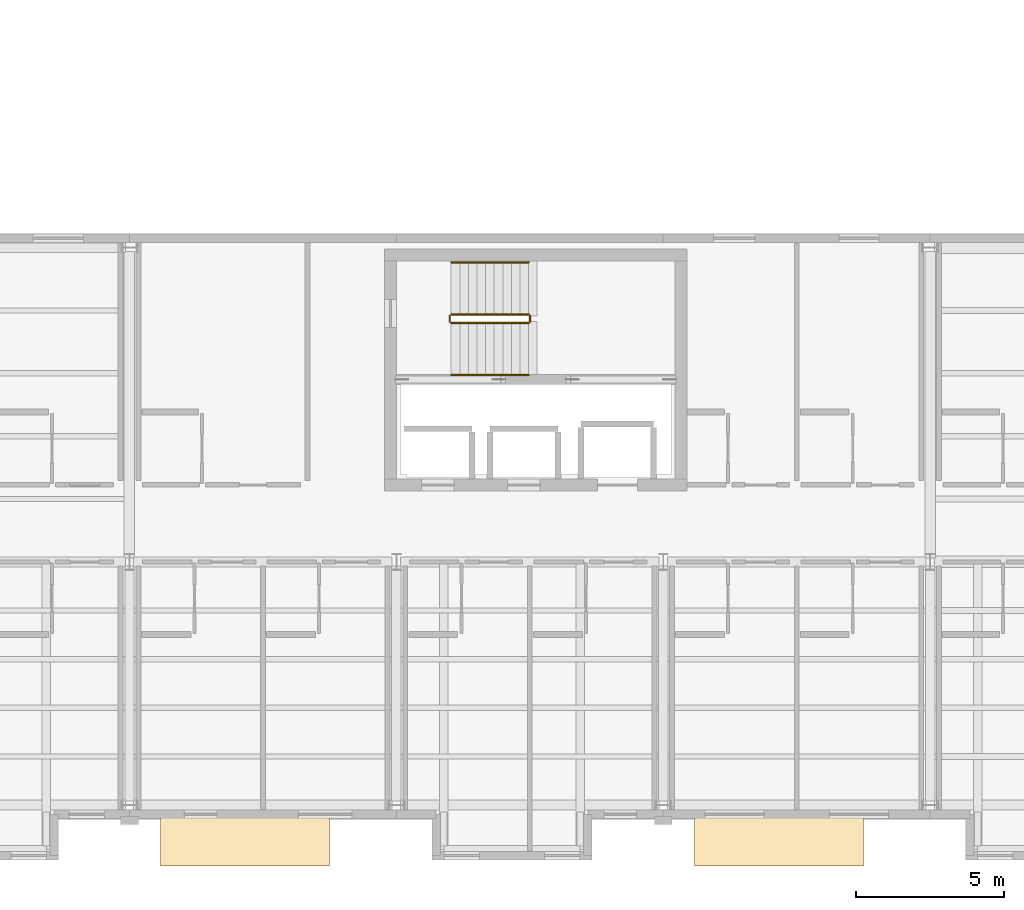
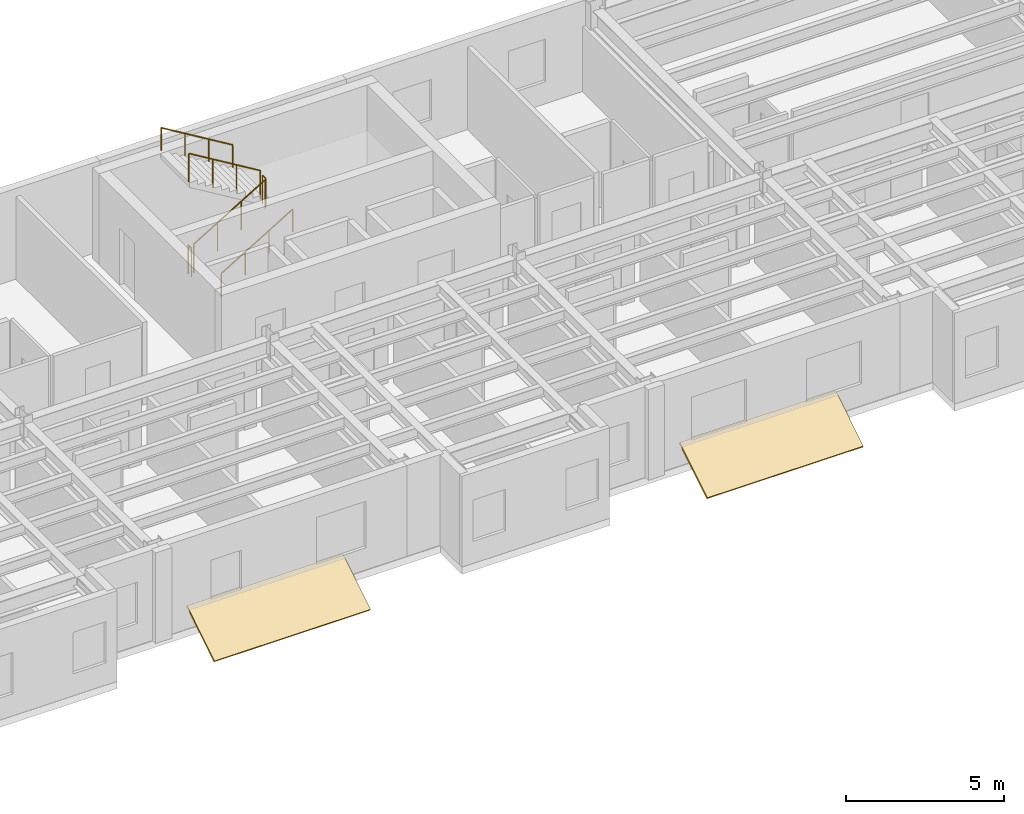
# One storey, part 16 of 19: 6 railings, 2 coverings.
"""IFC4 building model written with IfcOpenShell, lengths in metres."""

from ifc_helpers import new_model, si_unit, direction, frame, origin, origin_2d, place, context, subcontext, project, spatial, polyline, circle, outline, extrude, material, layer, layer_set, type_object, element, save


model = new_model("IFC4")

# Units and contexts
model_context = context("Model", 3, precision=1e-05, world=origin(), true_north=direction((0.0, 1.0)))
body_context = subcontext(model_context, "Body", "Model", "MODEL_VIEW")
ifc_project = project(units=[si_unit("LENGTHUNIT", "METRE"), si_unit("AREAUNIT", "SQUARE_METRE"), si_unit("VOLUMEUNIT", "CUBIC_METRE"), si_unit("PLANEANGLEUNIT", "RADIAN"), si_unit("MASSUNIT", "GRAM", prefix="KILO")], contexts=[model_context])

# Site, building, storey
site_placement = place(None, origin())
site = spatial("IfcSite", under=ifc_project, at=site_placement, CompositionType="ELEMENT")
building_placement = place(site_placement, origin())
building = spatial("IfcBuilding", under=site, at=building_placement, Name="Sollismere Congress Hotel", CompositionType="ELEMENT")
storey_placement = place(building_placement, frame((0.0, 0.0, 34.10009765625)))
storey = spatial("IfcBuildingStorey", under=building, at=storey_placement, Name="L08", CompositionType="ELEMENT", Elevation=34.10009765625)

# Coverings
ifc_material_1 = material(Name="Standing-Seam Titanium-Zinc Roof Assembly")
ifc_layer = layer(ifc_material_1, 0.054931640625, Name="Standing-Seam Titanium-Zinc Roof Assembly")
ifc_layer_set = layer_set([ifc_layer], Name="Standing-Seam Titanium-Zinc Roof Assembly")
covering_type = type_object("IfcCoveringType", Name="CV-RFZNC", PredefinedType="ROOFING", material=ifc_layer_set)
for number, where, z_axis, x_axis, name in (
    (1, (86.050048828125, -2.008056640625, -0.36328125), (0.0, -0.525209771298, 0.850972794003), (1.0, 0.0, 0.0), "Cikma bay sacak hood SL-CKH-22"),
    (2, (104.050048828125, -2.008056640625, -0.36328125), (0.0, -0.525209771298, 0.850972794003), (1.0, 0.0, 0.0), "Cikma bay sacak hood SL-CKH-23"),
):
    element("IfcCovering", number, at=place(storey_placement, frame(where, z_axis=z_axis, x_axis=x_axis)), inside=storey, type_object=covering_type, Name=name, PredefinedType="ROOFING", context=body_context, shape_type="SweptSolid", body=[
        extrude(outline(polyline([(0.0, 0.0), (5.699951171875, 0.0), (5.699951171875, 2.056396484375), (0.0, 2.056396484375), (0.0, 0.0)])), origin(), (0.0, 0.0, 1.0), 0.080078125),
    ])

# Railings
ifc_material_2 = material(Name="Steel ASTM A500 Grade C", Category="steel")
railing_type_1 = type_object("IfcRailingType", Name="RL-GRD112", PredefinedType="GUARDRAIL", material=ifc_material_2)
railing_1_placement = place(storey_placement, frame((95.85009765625, 16.25, 0.1748046875)))
element("IfcRailing", 3, at=railing_1_placement, inside=storey, type_object=railing_type_1, Name="RLG-RG-ST-02-L08-1", PredefinedType="GUARDRAIL", context=body_context, shape_type="SweptSolid", body=[
    extrude(circle(Radius=0.02392578125, at=origin_2d()), frame((0.0, 0.0, 1.09619140625), z_axis=(0.856147343639, 0.0, 0.516731773728), x_axis=(0.0, 1.0, 0.0)), (0.0, 0.0, 1.0), 3.04833984375),
    extrude(circle(Radius=0.02099609375, at=origin_2d()), origin(), (0.0, 0.0, 1.0), 1.072021484375),
    extrude(circle(Radius=0.02099609375, at=origin_2d()), frame((0.869873046875, 0.0, 0.525146484375)), (0.0, 0.0, 1.0), 1.072021484375),
    extrude(circle(Radius=0.02099609375, at=origin_2d()), frame((1.739990234375, 0.0, 1.050048828125)), (0.0, 0.0, 1.0), 1.072021484375),
    extrude(circle(Radius=0.02099609375, at=origin_2d()), frame((2.60986328125, 0.0, 1.5751953125)), (0.0, 0.0, 1.0), 1.072021484375),
])
railing_2_placement = place(storey_placement, frame((98.510009765625, 16.300048828125, 1.75)))
element("IfcRailing", 4, at=railing_2_placement, inside=storey, type_object=railing_type_1, Name="RLG-RG-ST-02-L08-2", PredefinedType="GUARDRAIL", context=body_context, shape_type="SweptSolid", body=[
    extrude(circle(Radius=0.02392578125, at=origin_2d()), frame((0.0, 0.0, 1.09619140625), z_axis=(0.0, 1.0, 0.0), x_axis=(-1.0, 0.0, 0.0)), (0.0, 0.0, 1.0), 0.199951171875),
    extrude(circle(Radius=0.02099609375, at=origin_2d()), origin(), (0.0, 0.0, 1.0), 1.072021484375),
    extrude(circle(Radius=0.02099609375, at=origin_2d()), frame((0.0, 0.199951171875, 0.0)), (0.0, 0.0, 1.0), 1.072021484375),
])
railing_3_placement = place(storey_placement, frame((98.4599609375, 16.550048828125, 1.9248046875)))
element("IfcRailing", 5, at=railing_3_placement, inside=storey, type_object=railing_type_1, Name="RLG-RG-ST-02-L08-3", PredefinedType="GUARDRAIL", context=body_context, shape_type="SweptSolid", body=[
    extrude(circle(Radius=0.02392578125, at=origin_2d()), frame((0.0, 0.0, 1.09619140625), z_axis=(-0.856147343639, 0.0, 0.516731773728), x_axis=(0.0, -1.0, 0.0)), (0.0, 0.0, 1.0), 3.04833984375),
    extrude(circle(Radius=0.02099609375, at=origin_2d()), origin(), (0.0, 0.0, 1.0), 1.072021484375),
    extrude(circle(Radius=0.02099609375, at=origin_2d()), frame((-0.869873046875, 0.0, 0.525146484375)), (0.0, 0.0, 1.0), 1.072021484375),
    extrude(circle(Radius=0.02099609375, at=origin_2d()), frame((-1.739990234375, 0.0, 1.050048828125)), (0.0, 0.0, 1.0), 1.072021484375),
    extrude(circle(Radius=0.02099609375, at=origin_2d()), frame((-2.60986328125, 0.0, 1.5751953125)), (0.0, 0.0, 1.0), 1.072021484375),
])
railing_4_placement = place(storey_placement, frame((95.800048828125, 16.300048828125, 0.0)))
element("IfcRailing", 6, at=railing_4_placement, inside=storey, type_object=railing_type_1, Name="RLG-RG-ST-02-L08-4", PredefinedType="GUARDRAIL", context=body_context, shape_type="SweptSolid", body=[
    extrude(circle(Radius=0.02392578125, at=origin_2d()), frame((0.0, 0.0, 1.09619140625), z_axis=(0.0, 1.0, 0.0), x_axis=(-1.0, 0.0, 0.0)), (0.0, 0.0, 1.0), 0.199951171875),
    extrude(circle(Radius=0.02099609375, at=origin_2d()), origin(), (0.0, 0.0, 1.0), 1.072021484375),
    extrude(circle(Radius=0.02099609375, at=origin_2d()), frame((0.0, 0.199951171875, 0.0)), (0.0, 0.0, 1.0), 1.072021484375),
])
ifc_material_3 = material(Name="Brushed Architectural Bronze")
railing_type_2 = type_object("IfcRailingType", Name="RL-HND90", PredefinedType="HANDRAIL", material=ifc_material_3)
railing_5_placement = place(storey_placement, frame((95.85009765625, 14.5, 0.325927734375)))
element("IfcRailing", 7, at=railing_5_placement, inside=storey, type_object=railing_type_2, Name="RLG-RH-ST-02-L08-1", PredefinedType="HANDRAIL", context=body_context, shape_type="SweptSolid", body=[
    extrude(circle(Radius=0.02392578125, at=origin_2d()), frame((0.0, 0.0, 0.8759765625), z_axis=(0.85618277418, 0.0, 0.516673066065), x_axis=(0.0, 1.0, 0.0)), (0.0, 0.0, 1.0), 3.04833984375),
    extrude(circle(Radius=0.02099609375, at=origin_2d()), origin(), (0.0, 0.0, 1.0), 0.851806640625),
    extrude(circle(Radius=0.02099609375, at=origin_2d()), frame((0.869873046875, 0.0, 0.52490234375)), (0.0, 0.0, 1.0), 0.851806640625),
    extrude(circle(Radius=0.02099609375, at=origin_2d()), frame((1.739990234375, 0.0, 1.050048828125)), (0.0, 0.0, 1.0), 0.851806640625),
    extrude(circle(Radius=0.02099609375, at=origin_2d()), frame((2.60986328125, 0.0, 1.574951171875)), (0.0, 0.0, 1.0), 0.851806640625),
])
railing_6_placement = place(storey_placement, frame((98.4599609375, 18.300048828125, 2.075927734375)))
element("IfcRailing", 8, at=railing_6_placement, inside=storey, type_object=railing_type_2, Name="RLG-RH-ST-02-L08-2", PredefinedType="HANDRAIL", context=body_context, shape_type="SweptSolid", body=[
    extrude(circle(Radius=0.02392578125, at=origin_2d()), frame((0.0, 0.0, 0.8759765625), z_axis=(-0.85618277418, 0.0, 0.516673066065), x_axis=(0.0, -1.0, 0.0)), (0.0, 0.0, 1.0), 3.04833984375),
    extrude(circle(Radius=0.02099609375, at=origin_2d()), origin(), (0.0, 0.0, 1.0), 0.851806640625),
    extrude(circle(Radius=0.02099609375, at=origin_2d()), frame((-0.869873046875, 0.0, 0.52490234375)), (0.0, 0.0, 1.0), 0.851806640625),
    extrude(circle(Radius=0.02099609375, at=origin_2d()), frame((-1.739990234375, 0.0, 1.050048828125)), (0.0, 0.0, 1.0), 0.851806640625),
    extrude(circle(Radius=0.02099609375, at=origin_2d()), frame((-2.60986328125, 0.0, 1.574951171875)), (0.0, 0.0, 1.0), 0.851806640625),
])

save(model, "model.ifc")
